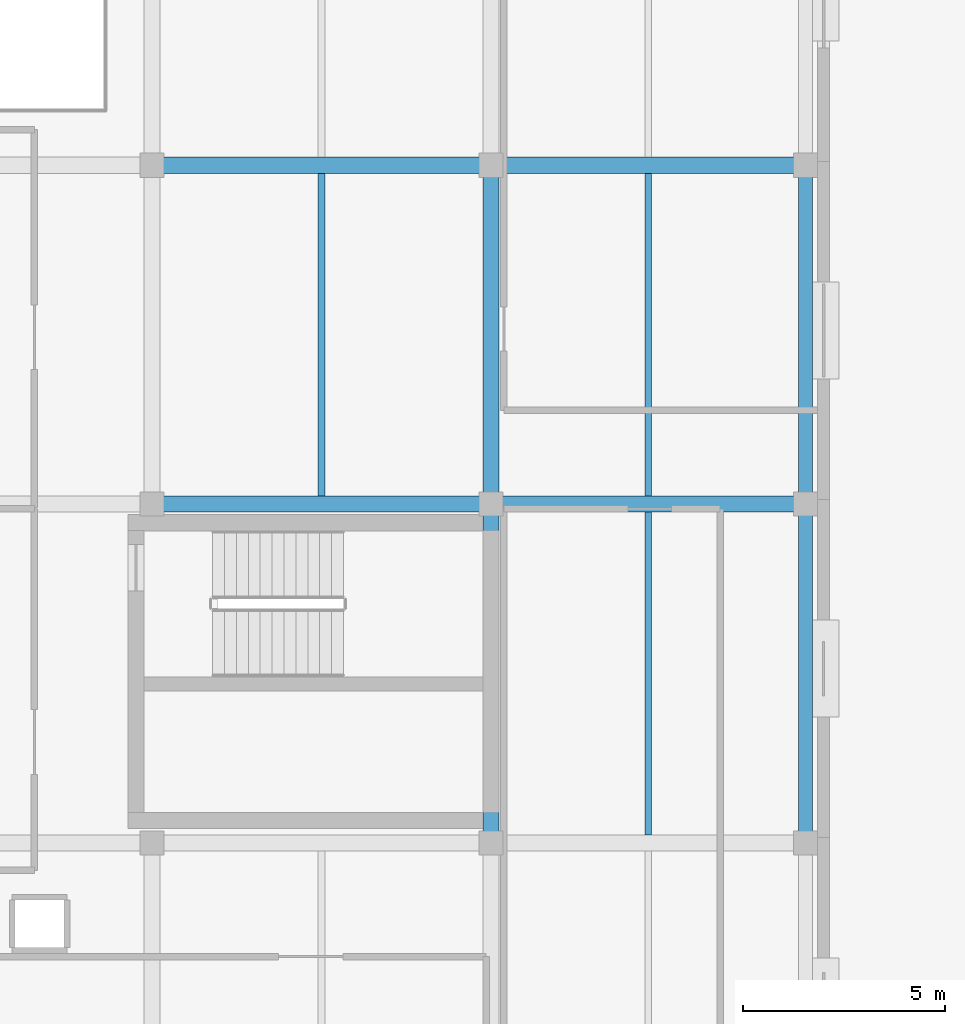
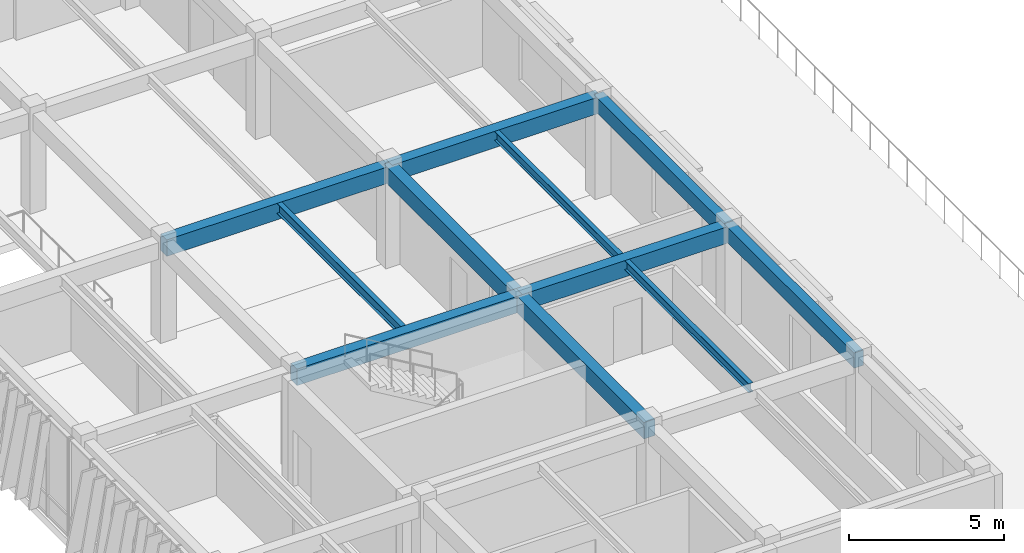
# One storey, part 33 of 127: 11 beams.
"""IFC4 building model written with IfcOpenShell, lengths in metres."""

from ifc_helpers import new_model, si_unit, direction, frame, origin, origin_2d, place, context, subcontext, project, spatial, rectangle, i_section, extrude, material, material_profile, profile_set, type_object, element, save


model = new_model("IFC4")

# Units and contexts
model_context = context("Model", 3, precision=1e-05, world=origin(), true_north=direction((0.0, 1.0)))
body_context = subcontext(model_context, "Body", "Model", "MODEL_VIEW")
ifc_project = project(units=[si_unit("LENGTHUNIT", "METRE"), si_unit("AREAUNIT", "SQUARE_METRE"), si_unit("VOLUMEUNIT", "CUBIC_METRE"), si_unit("PLANEANGLEUNIT", "RADIAN"), si_unit("MASSUNIT", "GRAM", prefix="KILO")], contexts=[model_context])

# Site, building, storey
site_placement = place(None, origin())
site = spatial("IfcSite", under=ifc_project, at=site_placement, CompositionType="ELEMENT")
building_placement = place(site_placement, origin())
building = spatial("IfcBuilding", under=site, at=building_placement, Name="Zayran Congress Hotel", CompositionType="ELEMENT")
storey_placement = place(building_placement, frame((0.0, 0.0, 10.800048828125)))
storey = spatial("IfcBuildingStorey", under=building, at=storey_placement, Name="L02", CompositionType="ELEMENT", Elevation=10.800048828125)

# Beams
ifc_material_1 = material(Name="Concrete C40/50", Category="concrete")
ifc_material_profile_1 = material_profile(ifc_material_1, rectangle(XDim=0.39990234375, YDim=0.64990234375, at=origin_2d()), Name="RC 400x650")
ifc_profile_set_1 = profile_set([ifc_material_profile_1], Name="Concrete C40/50")
beam_type_1 = type_object("IfcBeamType", Name="TP-BM-03", PredefinedType="BEAM", material=ifc_profile_set_1)
beam_1_placement = place(storey_placement, frame((117.60009765625, 59.199951171875, 3.594970703125), z_axis=(1.0, 0.0, 0.0), x_axis=(0.0, 1.0, 0.0)))
element("IfcBeam", 1, at=beam_1_placement, inside=storey, type_object=beam_type_1, Name="BM-V4-L02-1419", PredefinedType="BEAM", context=body_context, shape_type="SweptSolid", body=[
    extrude(rectangle(XDim=0.39990234375, YDim=0.64990234375, at=origin_2d()), origin(), (0.0, 0.0, 1.0), 8.39990234375),
])
beam_2_placement = place(storey_placement, frame((126.0, 59.199951171875, 3.594970703125), z_axis=(1.0, 0.0, 0.0), x_axis=(0.0, 1.0, 0.0)))
element("IfcBeam", 2, at=beam_2_placement, inside=storey, type_object=beam_type_1, Name="BM-V4-L02-1420", PredefinedType="BEAM", context=body_context, shape_type="SweptSolid", body=[
    extrude(rectangle(XDim=0.39990234375, YDim=0.64990234375, at=origin_2d()), origin(), (0.0, 0.0, 1.0), 7.800048828125),
])
beam_3_placement = place(storey_placement, frame((117.60009765625, 67.60009765625, 3.594970703125), z_axis=(1.0, 0.0, 0.0), x_axis=(0.0, 1.0, 0.0)))
element("IfcBeam", 3, at=beam_3_placement, inside=storey, type_object=beam_type_1, Name="BM-V4-L02-1422", PredefinedType="BEAM", context=body_context, shape_type="SweptSolid", body=[
    extrude(rectangle(XDim=0.39990234375, YDim=0.64990234375, at=origin_2d()), origin(), (0.0, 0.0, 1.0), 8.39990234375),
])
beam_4_placement = place(storey_placement, frame((126.0, 67.60009765625, 3.594970703125), z_axis=(1.0, 0.0, 0.0), x_axis=(0.0, 1.0, 0.0)))
element("IfcBeam", 4, at=beam_4_placement, inside=storey, type_object=beam_type_1, Name="BM-V4-L02-1423", PredefinedType="BEAM", context=body_context, shape_type="SweptSolid", body=[
    extrude(rectangle(XDim=0.39990234375, YDim=0.64990234375, at=origin_2d()), origin(), (0.0, 0.0, 1.0), 7.800048828125),
])
beam_5_placement = place(storey_placement, frame((126.0, 50.800048828125, 3.594970703125), z_axis=(0.0, 1.0, 0.0), x_axis=(-1.0, 0.0, 0.0)))
element("IfcBeam", 5, at=beam_5_placement, inside=storey, type_object=beam_type_1, Name="BM-V4-L02-1454", PredefinedType="BEAM", context=body_context, shape_type="SweptSolid", body=[
    extrude(rectangle(XDim=0.39990234375, YDim=0.64990234375, at=origin_2d()), origin(), (0.0, 0.0, 1.0), 8.39990234375),
])
beam_6_placement = place(storey_placement, frame((126.0, 59.199951171875, 3.594970703125), z_axis=(0.0, 1.0, 0.0), x_axis=(-1.0, 0.0, 0.0)))
element("IfcBeam", 6, at=beam_6_placement, inside=storey, type_object=beam_type_1, Name="BM-V4-L02-1455", PredefinedType="BEAM", context=body_context, shape_type="SweptSolid", body=[
    extrude(rectangle(XDim=0.39990234375, YDim=0.64990234375, at=origin_2d()), origin(), (0.0, 0.0, 1.0), 8.400146484375),
])
ifc_material_profile_2 = material_profile(ifc_material_1, rectangle(XDim=0.35009765625, YDim=0.60009765625, at=origin_2d()), Name="RC 350x600")
ifc_profile_set_2 = profile_set([ifc_material_profile_2], Name="Concrete C40/50")
beam_type_2 = type_object("IfcBeamType", Name="TP-SP-01", PredefinedType="SPANDREL", material=ifc_profile_set_2)
beam_7_placement = place(storey_placement, frame((133.800048828125, 50.800048828125, 3.619873046875), z_axis=(0.0, 1.0, 0.0), x_axis=(-1.0, 0.0, 0.0)))
element("IfcBeam", 7, at=beam_7_placement, inside=storey, type_object=beam_type_2, Name="BM-V4-L02-1462", PredefinedType="SPANDREL", context=body_context, shape_type="SweptSolid", body=[
    extrude(rectangle(XDim=0.35009765625, YDim=0.60009765625, at=origin_2d()), origin(), (0.0, 0.0, 1.0), 8.39990234375),
])
beam_8_placement = place(storey_placement, frame((133.800048828125, 59.199951171875, 3.619873046875), z_axis=(0.0, 1.0, 0.0), x_axis=(-1.0, 0.0, 0.0)))
element("IfcBeam", 8, at=beam_8_placement, inside=storey, type_object=beam_type_2, Name="BM-V4-L02-1463", PredefinedType="SPANDREL", context=body_context, shape_type="SweptSolid", body=[
    extrude(rectangle(XDim=0.35009765625, YDim=0.60009765625, at=origin_2d()), origin(), (0.0, 0.0, 1.0), 8.400146484375),
])
ifc_material_2 = material(Name="Steel S355", Category="steel")
ifc_material_profile_3 = material_profile(ifc_material_2, i_section(OverallWidth=0.179931640625, OverallDepth=0.39990234375, WebThickness=0.008544921875, FlangeThickness=0.013427734375, at=origin_2d()), Name="IPE 400")
ifc_profile_set_3 = profile_set([ifc_material_profile_3], Name="Steel S355")
beam_type_3 = type_object("IfcBeamType", Name="TP-JS-03", PredefinedType="JOIST", material=ifc_profile_set_3)
beam_9_placement = place(storey_placement, frame((121.800048828125, 59.39990234375, 3.719970703125), z_axis=(0.0, 1.0, 0.0), x_axis=(-1.0, 0.0, 0.0)))
element("IfcBeam", 9, at=beam_9_placement, inside=storey, type_object=beam_type_3, Name="JST-V4-L02-1478", PredefinedType="JOIST", context=body_context, shape_type="SweptSolid", body=[
    extrude(i_section(OverallWidth=0.179931640625, OverallDepth=0.39990234375, WebThickness=0.008544921875, FlangeThickness=0.013427734375, at=origin_2d()), origin(), (0.0, 0.0, 1.0), 8.0),
])
ifc_material_profile_4 = material_profile(ifc_material_2, i_section(OverallWidth=0.169921875, OverallDepth=0.360107421875, WebThickness=0.008056640625, FlangeThickness=0.0126953125, at=origin_2d()), Name="IPE 360")
ifc_profile_set_4 = profile_set([ifc_material_profile_4], Name="Steel S355")
beam_type_4 = type_object("IfcBeamType", Name="TP-JS-04", PredefinedType="JOIST", material=ifc_profile_set_4)
for number, where, z_axis, x_axis, name in (
    (10, (129.89990234375, 51.0, 3.739990234375), (0.0, 1.0, 0.0), (-1.0, 0.0, 0.0), "JST-V4-L02-1484"),
    (11, (129.89990234375, 59.39990234375, 3.739990234375), (0.0, 1.0, 0.0), (-1.0, 0.0, 0.0), "JST-V4-L02-1485"),
):
    element("IfcBeam", number, at=place(storey_placement, frame(where, z_axis=z_axis, x_axis=x_axis)), inside=storey, type_object=beam_type_4, Name=name, PredefinedType="JOIST", context=body_context, shape_type="SweptSolid", body=[
        extrude(i_section(OverallWidth=0.169921875, OverallDepth=0.360107421875, WebThickness=0.008056640625, FlangeThickness=0.0126953125, at=origin_2d()), origin(), (0.0, 0.0, 1.0), 8.0),
    ])

save(model, "model.ifc")
